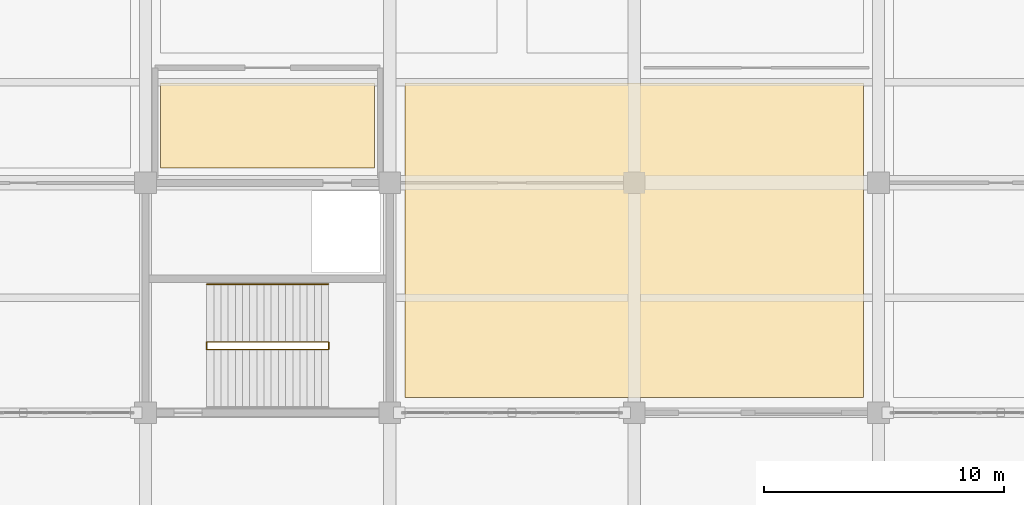
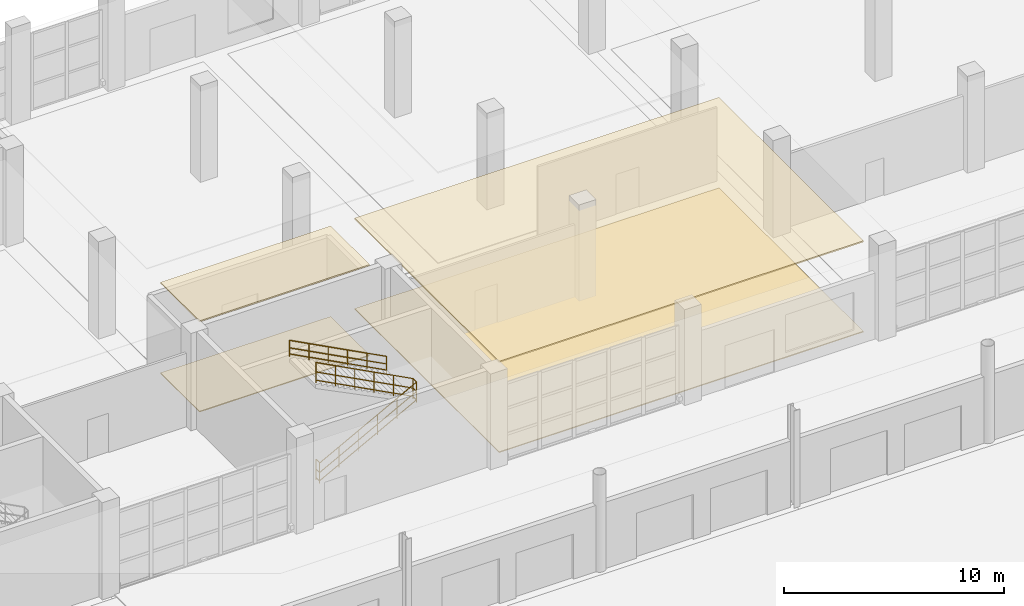
# One storey, part 114 of 124: 4 coverings, 3 railings.
"""IFC4 building model written with IfcOpenShell, lengths in metres."""

import ifcopenshell
import ifcopenshell.guid

model = None  # the IFC model being written
_history = None  # IfcOwnerHistory: only IFC2X3 demands one
_inside = {}  # id of a spatial element -> (the spatial element, [elements in it])
_under = {}  # id of a project, library or spatial element -> (it, [spatial elements below it])
_declared = {}  # id of a project -> (the project, [libraries it declares])
_typed = {}  # id of a type object -> (the type object, [elements of that type])
_made_of = {}  # id of a material, layer set ... -> (it, [elements and type objects made of it])


def new_model(schema):
    """Start an empty IFC model of exactly this schema.

    Asked for "IFC4X3", IfcOpenShell would pick the latest addendum, in which some entities
    have other attributes; the version numbers below select the first issue.
    IFC2X3 requires an IfcOwnerHistory on every rooted entity: one is made here for all.
    """
    global model, _history
    if schema == "IFC4X3":
        model = ifcopenshell.file(schema_version=(4, 3, 0, 0))
    else:
        model = ifcopenshell.file(schema=schema)
    _inside.clear()
    _under.clear()
    _declared.clear()
    _typed.clear()
    _made_of.clear()
    _history = None
    if model.schema == "IFC2X3":
        org = make("IfcOrganization", Name="unknown")
        user = make(
            "IfcPersonAndOrganization",
            ThePerson=make("IfcPerson", FamilyName="unknown"),
            TheOrganization=org,
        )
        app = make(
            "IfcApplication",
            ApplicationDeveloper=org,
            Version="unknown",
            ApplicationFullName="unknown",
            ApplicationIdentifier="unknown",
        )
        _history = make(
            "IfcOwnerHistory",
            OwningUser=user,
            OwningApplication=app,
            ChangeAction="ADDED",
            CreationDate=0,
        )
    return model


def make(cls, **values):
    """One entity of the class cls with the attributes given. An attribute that is None is left unset."""
    return model.create_entity(
        cls, **{name: value for name, value in values.items() if value is not None}
    )


def rooted(cls, **values):
    """An entity with a GlobalId (a new one), such as an element, a storey or a relation."""
    return make(cls, GlobalId=ifcopenshell.guid.new(), OwnerHistory=_history, **values)


def si_unit(unit_type, name, prefix=None):
    """IfcSIUnit, for example si_unit("LENGTHUNIT", "METRE", prefix="MILLI")."""
    return make("IfcSIUnit", UnitType=unit_type, Prefix=prefix, Name=name)


def assignment(units):
    """IfcUnitAssignment: the units of a project."""
    return None if units is None else make("IfcUnitAssignment", Units=units)


def point(xyz):
    """IfcCartesianPoint."""
    return None if xyz is None else make("IfcCartesianPoint", Coordinates=xyz)


def direction(xyz):
    """IfcDirection."""
    return None if xyz is None else make("IfcDirection", DirectionRatios=xyz)


def frame(location, z_axis=None, x_axis=None):
    """IfcAxis2Placement3D, a coordinate frame: its origin and axes. An axis left out is left unset."""
    return make(
        "IfcAxis2Placement3D",
        Location=point(location),
        Axis=direction(z_axis),
        RefDirection=direction(x_axis),
    )


def frame_2d(location, x_axis=None):
    """IfcAxis2Placement2D, a coordinate frame in the plane: its origin and x axis."""
    return make(
        "IfcAxis2Placement2D", Location=point(location), RefDirection=direction(x_axis)
    )


def origin():
    """The frame at (0, 0, 0) with its axes left unset."""
    return frame((0.0, 0.0, 0.0))


def origin_2d():
    """The frame at (0, 0) in the plane with its x axis left unset."""
    return frame_2d((0.0, 0.0))


def place(relative_to, where):
    """IfcLocalPlacement: puts the frame where relative to a parent placement (None: the world)."""
    return make(
        "IfcLocalPlacement", PlacementRelTo=relative_to, RelativePlacement=where
    )


def context(
    kind, dimensions, precision=None, world=None, true_north=None, identifier=None
):
    """IfcGeometricRepresentationContext, for example the 3D "Model" context."""
    return make(
        "IfcGeometricRepresentationContext",
        ContextIdentifier=identifier,
        ContextType=kind,
        CoordinateSpaceDimension=dimensions,
        Precision=precision,
        WorldCoordinateSystem=world,
        TrueNorth=true_north,
    )


def subcontext(parent, identifier, kind, view, scale=None):
    """IfcGeometricRepresentationSubContext, for example "Body" below "Model"."""
    return make(
        "IfcGeometricRepresentationSubContext",
        ContextIdentifier=identifier,
        ContextType=kind,
        ParentContext=parent,
        TargetScale=scale,
        TargetView=view,
    )


def project(units=None, contexts=None):
    """IfcProject with its units and contexts."""
    return rooted(
        "IfcProject",
        Name="project",
        RepresentationContexts=contexts,
        UnitsInContext=assignment(units),
    )


def spatial(cls, under=None, at=None, **own):
    """A site, building, storey or space (cls), placed at a placement, below another one or the project."""
    s = rooted(cls, ObjectPlacement=at, **own)
    if under is not None:
        _under.setdefault(under.id(), (under, []))[1].append(s)
    return s


def polyline(points):
    """IfcPolyline through the points."""
    return make("IfcPolyline", Points=[point(p) for p in points])


def profile(cls, at=None, kind="AREA", **sizes):
    """A parametric profile (cls). Its sizes go by their IFC names, for example OverallWidth=200.0."""
    return make(cls, ProfileType=kind, Position=at, **sizes)


def circle(**sizes):
    """IfcCircleProfileDef."""
    return profile("IfcCircleProfileDef", **sizes)


def outline(outer, holes=None, kind="AREA"):
    """IfcArbitraryClosedProfileDef: a profile drawn as a closed curve; with holes, ...WithVoids."""
    if holes is None:
        return make("IfcArbitraryClosedProfileDef", ProfileType=kind, OuterCurve=outer)
    return make(
        "IfcArbitraryProfileDefWithVoids",
        ProfileType=kind,
        OuterCurve=outer,
        InnerCurves=holes,
    )


def extrude(swept, where, along, depth):
    """IfcExtrudedAreaSolid: the profile swept, set in the frame where, extruded along a direction by depth."""
    return make(
        "IfcExtrudedAreaSolid",
        SweptArea=swept,
        Position=where,
        ExtrudedDirection=direction(along),
        Depth=depth,
    )


def shape(context_of_items, identifier, shape_type, items):
    """IfcShapeRepresentation: the items that make up one representation, for example the "Body"."""
    return make(
        "IfcShapeRepresentation",
        ContextOfItems=context_of_items,
        RepresentationIdentifier=identifier,
        RepresentationType=shape_type,
        Items=items,
    )


def material(Name=None, Category=None):
    """IfcMaterial."""
    return make("IfcMaterial", Name=Name, Category=Category)


def layer(
    of_material, thickness, ventilated=None, Name=None, Category=None, Priority=None
):
    """IfcMaterialLayer: one layer of a wall or slab, of a material (None: an air gap)."""
    return make(
        "IfcMaterialLayer",
        Material=of_material,
        LayerThickness=thickness,
        IsVentilated=ventilated,
        Name=Name,
        Category=Category,
        Priority=Priority,
    )


def layer_set(layers, Name=None):
    """IfcMaterialLayerSet."""
    return make("IfcMaterialLayerSet", MaterialLayers=layers, LayerSetName=Name)


def made_of(thing, what):
    """Note that an element or type object is made of a material, layer set ...; save() writes the relation."""
    if what is not None:
        _made_of.setdefault(what.id(), (what, []))[1].append(thing)
    return thing


def type_object(cls, material=None, **own):
    """A type object (cls), such as IfcWallType, which elements share."""
    return made_of(rooted(cls, **own), material)


def element(
    cls,
    number,
    at=None,
    inside=None,
    cuts=None,
    type_object=None,
    material=None,
    context=None,
    identifier="Body",
    shape_type=None,
    held_by="IfcProductDefinitionShape",
    body=None,
    shapes=None,
    **own,
):
    """One element of the class cls, such as IfcWall. Its Tag is "e" and its number.

    at: its placement. inside: the storey or other place that contains it. cuts: it is an
    opening in that element (IfcRelVoidsElement). A single representation is given by context,
    identifier, shape_type and body (its items); several are given by shapes. held_by: the class
    of the entity that holds the representations. save() writes the other relations.
    """
    e = rooted(cls, Tag="e%d" % number, ObjectPlacement=at, **own)
    if body is not None:
        shapes = [shape(context, identifier, shape_type, body)]
    if shapes is not None:
        e.Representation = make(held_by, Representations=shapes)
    if inside is not None:
        _inside.setdefault(inside.id(), (inside, []))[1].append(e)
    if cuts is not None:
        rooted(
            "IfcRelVoidsElement", RelatingBuildingElement=cuts, RelatedOpeningElement=e
        )
    if type_object is not None:
        _typed.setdefault(type_object.id(), (type_object, []))[1].append(e)
    return made_of(e, material)


def aggregate(whole, parts):
    """IfcRelAggregates: a whole, such as a stair, and the parts it consists of."""
    return rooted("IfcRelAggregates", RelatingObject=whole, RelatedObjects=parts)


def save(model, path):
    """Write the relations noted so far, then the file.

    IfcRelAggregates (storeys below a building ...), IfcRelContainedInSpatialStructure (elements
    in a storey), IfcRelDefinesByType, IfcRelAssociatesMaterial and IfcRelDeclares: one each for
    every whole, place, type object, material and project.
    """
    for whole, parts in _under.values():
        aggregate(whole, parts)
    for where, things in _inside.values():
        rooted(
            "IfcRelContainedInSpatialStructure",
            RelatedElements=things,
            RelatingStructure=where,
        )
    for kind, things in _typed.values():
        rooted("IfcRelDefinesByType", RelatedObjects=things, RelatingType=kind)
    for what, things in _made_of.values():
        rooted("IfcRelAssociatesMaterial", RelatedObjects=things, RelatingMaterial=what)
    for by, libraries in _declared.values():
        rooted("IfcRelDeclares", RelatingContext=by, RelatedDefinitions=libraries)
    model.write(path)


model = new_model("IFC4")

# Units and contexts
model_context = context("Model", 3, precision=1e-05, world=origin(), true_north=direction((0.0, 1.0)))
body_context = subcontext(model_context, "Body", "Model", "MODEL_VIEW")
ifc_project = project(units=[si_unit("LENGTHUNIT", "METRE"), si_unit("AREAUNIT", "SQUARE_METRE"), si_unit("VOLUMEUNIT", "CUBIC_METRE"), si_unit("PLANEANGLEUNIT", "RADIAN"), si_unit("MASSUNIT", "GRAM", prefix="KILO")], contexts=[model_context])

# Site, building, storey
site_placement = place(None, origin())
site = spatial("IfcSite", under=ifc_project, at=site_placement, CompositionType="ELEMENT")
building_placement = place(site_placement, origin())
building = spatial("IfcBuilding", under=site, at=building_placement, Name="Brelvane Convention Centre", CompositionType="ELEMENT")
storey_placement = place(building_placement, origin())
storey = spatial("IfcBuildingStorey", under=building, at=storey_placement, Name="L00", CompositionType="ELEMENT", Elevation=0.0)

# Coverings
ifc_material_1 = material(Name="Perforated Anodised Aluminium Alloy 6063 Acoustic Baffle", Category="aluminium")
ifc_layer_1 = layer(ifc_material_1, 0.074951171875)
ifc_layer_set_1 = layer_set([ifc_layer_1], Name="Perforated Anodised Aluminium Alloy 6063 Acoustic Baffle")
covering_type_1 = type_object("IfcCoveringType", Name="Interior Finish CL-BAF-75", PredefinedType="CEILING", material=ifc_layer_set_1)
covering_1_placement = place(storey_placement, frame((0.0, 0.0, 5.0048828125)))
element("IfcCovering", 1, at=covering_1_placement, inside=storey, type_object=covering_type_1, Name="Firefighting Lift Lobby C7 Acoustic Ceiling (CL-BAF-75)", PredefinedType="CEILING", context=body_context, shape_type="SweptSolid", body=[
    extrude(outline(polyline([(31.22998046875, 119.429931640625), (40.169921875, 119.429931640625), (40.169921875, 122.969970703125), (31.22998046875, 122.969970703125), (31.22998046875, 119.429931640625)])), origin(), (0.0, 0.0, 1.0), 0.0751953125),
])
covering_2_placement = place(storey_placement, frame((0.0, 0.0, 5.0048828125)))
element("IfcCovering", 2, at=covering_2_placement, inside=storey, type_object=covering_type_1, Name="Meeting Room 104 Acoustic Ceiling (CL-BAF-75)", PredefinedType="CEILING", context=body_context, shape_type="SweptSolid", body=[
    extrude(outline(polyline([(41.429931640625, 109.830078125), (60.570068359375, 109.830078125), (60.570068359375, 122.969970703125), (41.429931640625, 122.969970703125), (41.429931640625, 109.830078125)])), origin(), (0.0, 0.0, 1.0), 0.0751953125),
])
ifc_material_2 = material(Name="Polished Basalt-Aggregate Terrazzo Screed Concrete M30", Category="masonry")
ifc_layer_2 = layer(ifc_material_2, 0.050048828125)
ifc_layer_set_2 = layer_set([ifc_layer_2], Name="Polished Basalt-Aggregate Terrazzo Screed Concrete M30")
covering_type_2 = type_object("IfcCoveringType", Name="Interior Finish FL-TER-50", PredefinedType="FLOORING", material=ifc_layer_set_2)
covering_3_placement = place(storey_placement, origin())
element("IfcCovering", 3, at=covering_3_placement, inside=storey, type_object=covering_type_2, Name="Firefighting Lift Lobby C7 Floor Finish (FL-TER-50)", PredefinedType="FLOORING", context=body_context, shape_type="SweptSolid", body=[
    extrude(outline(polyline([(31.22998046875, 119.429931640625), (40.169921875, 119.429931640625), (40.169921875, 122.969970703125), (31.22998046875, 122.969970703125), (31.22998046875, 119.429931640625)])), origin(), (0.0, 0.0, 1.0), 0.050048828125),
])
covering_4_placement = place(storey_placement, origin())
element("IfcCovering", 4, at=covering_4_placement, inside=storey, type_object=covering_type_2, Name="Meeting Room 104 Floor Finish (FL-TER-50)", PredefinedType="FLOORING", context=body_context, shape_type="SweptSolid", body=[
    extrude(outline(polyline([(41.429931640625, 109.830078125), (60.570068359375, 109.830078125), (60.570068359375, 122.969970703125), (41.429931640625, 122.969970703125), (41.429931640625, 109.830078125)])), origin(), (0.0, 0.0, 1.0), 0.050048828125),
])

# Railings
ifc_material_3 = material(Name="Steel E350 (350 MPa)", Category="steel")
railing_type_1 = type_object("IfcRailingType", Name="Stair Railing GR-ST-1", PredefinedType="GUARDRAIL", material=ifc_material_3)
railing_1_placement = place(storey_placement, frame((33.14990234375, 111.840087890625, -0.02001953125)))
element("IfcRailing", 5, at=railing_1_placement, inside=storey, type_object=railing_type_1, Name="Stair ST-07 L00 Inner Well Guard", PredefinedType="GUARDRAIL", context=body_context, shape_type="SweptSolid", body=[
    extrude(circle(Radius=0.02392578125, at=origin_2d()), frame((0.0, 0.0, 1.1259765625), z_axis=(0.882358787245, 0.0, 0.470577273753), x_axis=(0.0, 1.0, 0.0)), (0.0, 0.0, 1.0), 5.780029296875),
    extrude(circle(Radius=0.02392578125, at=origin_2d()), frame((0.0, 0.0, 0.597900390625), z_axis=(0.882358787245, 0.0, 0.470577273753), x_axis=(0.0, 1.0, 0.0)), (0.0, 0.0, 1.0), 5.780029296875),
    extrude(circle(Radius=0.02392578125, at=origin_2d()), frame((0.0, 0.0, 0.139892578125), z_axis=(0.882358787245, 0.0, 0.470577273753), x_axis=(0.0, 1.0, 0.0)), (0.0, 0.0, 1.0), 5.780029296875),
    extrude(circle(Radius=0.02392578125, at=origin_2d()), frame((5.10009765625, 0.0, 3.845947265625), z_axis=(0.0, 1.0, 0.0), x_axis=(-1.0, 0.0, 0.0)), (0.0, 0.0, 1.0), 0.31982421875),
    extrude(circle(Radius=0.02392578125, at=origin_2d()), frame((5.10009765625, 0.0, 3.31787109375), z_axis=(0.0, 1.0, 0.0), x_axis=(-1.0, 0.0, 0.0)), (0.0, 0.0, 1.0), 0.31982421875),
    extrude(circle(Radius=0.02392578125, at=origin_2d()), frame((5.10009765625, 0.0, 2.85986328125), z_axis=(0.0, 1.0, 0.0), x_axis=(-1.0, 0.0, 0.0)), (0.0, 0.0, 1.0), 0.31982421875),
    extrude(circle(Radius=0.02392578125, at=origin_2d()), frame((5.10009765625, 0.31982421875, 3.845947265625), z_axis=(-0.885227801088, 0.0, 0.465157758379), x_axis=(0.0, -1.0, 0.0)), (0.0, 0.0, 1.0), 5.76123046875),
    extrude(circle(Radius=0.02392578125, at=origin_2d()), frame((5.10009765625, 0.31982421875, 3.31787109375), z_axis=(-0.885227801088, 0.0, 0.465157758379), x_axis=(0.0, -1.0, 0.0)), (0.0, 0.0, 1.0), 5.76123046875),
    extrude(circle(Radius=0.02392578125, at=origin_2d()), frame((5.10009765625, 0.31982421875, 2.85986328125), z_axis=(-0.885227801088, 0.0, 0.465157758379), x_axis=(0.0, -1.0, 0.0)), (0.0, 0.0, 1.0), 5.76123046875),
    extrude(circle(Radius=0.02099609375, at=origin_2d()), origin(), (0.0, 0.0, 1.0), 1.101806640625),
    extrude(circle(Radius=0.02099609375, at=origin_2d()), frame((1.02001953125, 0.0, 0.5439453125)), (0.0, 0.0, 1.0), 1.101806640625),
    extrude(circle(Radius=0.02099609375, at=origin_2d()), frame((2.0400390625, 0.0, 1.087890625)), (0.0, 0.0, 1.0), 1.101806640625),
    extrude(circle(Radius=0.02099609375, at=origin_2d()), frame((3.06005859375, 0.0, 1.632080078125)), (0.0, 0.0, 1.0), 1.101806640625),
    extrude(circle(Radius=0.02099609375, at=origin_2d()), frame((4.080078125, 0.0, 2.176025390625)), (0.0, 0.0, 1.0), 1.101806640625),
    extrude(circle(Radius=0.02099609375, at=origin_2d()), frame((5.10009765625, 0.0, 2.719970703125)), (0.0, 0.0, 1.0), 1.101806640625),
    extrude(circle(Radius=0.02099609375, at=origin_2d()), frame((5.10009765625, 0.31982421875, 2.719970703125)), (0.0, 0.0, 1.0), 1.101806640625),
    extrude(circle(Radius=0.02099609375, at=origin_2d()), frame((4.080078125, 0.31982421875, 3.255859375)), (0.0, 0.0, 1.0), 1.101806640625),
    extrude(circle(Radius=0.02099609375, at=origin_2d()), frame((3.06005859375, 0.31982421875, 3.7919921875)), (0.0, 0.0, 1.0), 1.101806640625),
    extrude(circle(Radius=0.02099609375, at=origin_2d()), frame((2.0400390625, 0.31982421875, 4.327880859375)), (0.0, 0.0, 1.0), 1.101806640625),
    extrude(circle(Radius=0.02099609375, at=origin_2d()), frame((1.02001953125, 0.31982421875, 4.864013671875)), (0.0, 0.0, 1.0), 1.101806640625),
    extrude(circle(Radius=0.02099609375, at=origin_2d()), frame((0.0, 0.31982421875, 5.39990234375)), (0.0, 0.0, 1.0), 1.101806640625),
])
ifc_material_4 = material(Name="Steel E350 (350 MPa)", Category="steel")
railing_type_2 = type_object("IfcRailingType", Name="Stair Railing GR-ST-2", PredefinedType="GUARDRAIL", material=ifc_material_4)
railing_2_placement = place(storey_placement, frame((33.14990234375, 111.840087890625, -0.02001953125)))
element("IfcRailing", 6, at=railing_2_placement, inside=storey, type_object=railing_type_2, Name="Stair ST-07 L00 Landing Well Guard", PredefinedType="GUARDRAIL", context=body_context, shape_type="SweptSolid", body=[
    extrude(circle(Radius=0.02392578125, at=origin_2d()), frame((0.0, 0.0, 1.15576171875), z_axis=(0.0, 1.0, 0.0), x_axis=(-1.0, 0.0, 0.0)), (0.0, 0.0, 1.0), 0.31982421875),
    extrude(circle(Radius=0.02392578125, at=origin_2d()), frame((0.0, 0.0, 0.613525390625), z_axis=(0.0, 1.0, 0.0), x_axis=(-1.0, 0.0, 0.0)), (0.0, 0.0, 1.0), 0.31982421875),
    extrude(circle(Radius=0.02392578125, at=origin_2d()), frame((0.0, 0.0, 0.139892578125), z_axis=(0.0, 1.0, 0.0), x_axis=(-1.0, 0.0, 0.0)), (0.0, 0.0, 1.0), 0.31982421875),
    extrude(circle(Radius=0.02099609375, at=origin_2d()), origin(), (0.0, 0.0, 1.0), 1.1318359375),
    extrude(circle(Radius=0.02099609375, at=origin_2d()), frame((0.0, 0.31982421875, 0.0)), (0.0, 0.0, 1.0), 1.1318359375),
])
ifc_material_5 = material(Name="Steel E350 (350 MPa)", Category="steel")
railing_type_3 = type_object("IfcRailingType", Name="Stair Railing HR-ST-1", PredefinedType="HANDRAIL", material=ifc_material_5)
railing_3_placement = place(storey_placement, frame((38.25, 114.570068359375, 2.699951171875)))
element("IfcRailing", 7, at=railing_3_placement, inside=storey, type_object=railing_type_3, Name="Stair ST-07 L00 Outer Handrail F2", PredefinedType="HANDRAIL", context=body_context, shape_type="SweptSolid", body=[
    extrude(circle(Radius=0.02392578125, at=origin_2d()), frame((0.0, 0.0, 0.89599609375), z_axis=(-0.885227801088, 0.0, 0.465157758379), x_axis=(0.0, -1.0, 0.0)), (0.0, 0.0, 1.0), 5.76123046875),
    extrude(circle(Radius=0.02392578125, at=origin_2d()), frame((0.0, 0.0, 0.478271484375), z_axis=(-0.885227801088, 0.0, 0.465157758379), x_axis=(0.0, -1.0, 0.0)), (0.0, 0.0, 1.0), 5.76123046875),
    extrude(circle(Radius=0.02392578125, at=origin_2d()), frame((0.0, 0.0, 0.139892578125), z_axis=(-0.885227801088, 0.0, 0.465157758379), x_axis=(0.0, -1.0, 0.0)), (0.0, 0.0, 1.0), 5.76123046875),
    extrude(circle(Radius=0.02099609375, at=origin_2d()), origin(), (0.0, 0.0, 1.0), 0.871826171875),
    extrude(circle(Radius=0.02099609375, at=origin_2d()), frame((-1.02001953125, 0.0, 0.535888671875)), (0.0, 0.0, 1.0), 0.871826171875),
    extrude(circle(Radius=0.02099609375, at=origin_2d()), frame((-2.0400390625, 0.0, 1.072021484375)), (0.0, 0.0, 1.0), 0.871826171875),
    extrude(circle(Radius=0.02099609375, at=origin_2d()), frame((-3.06005859375, 0.0, 1.60791015625)), (0.0, 0.0, 1.0), 0.871826171875),
    extrude(circle(Radius=0.02099609375, at=origin_2d()), frame((-4.080078125, 0.0, 2.14404296875)), (0.0, 0.0, 1.0), 0.871826171875),
    extrude(circle(Radius=0.02099609375, at=origin_2d()), frame((-5.10009765625, 0.0, 2.679931640625)), (0.0, 0.0, 1.0), 0.871826171875),
])

save(model, "model.ifc")
